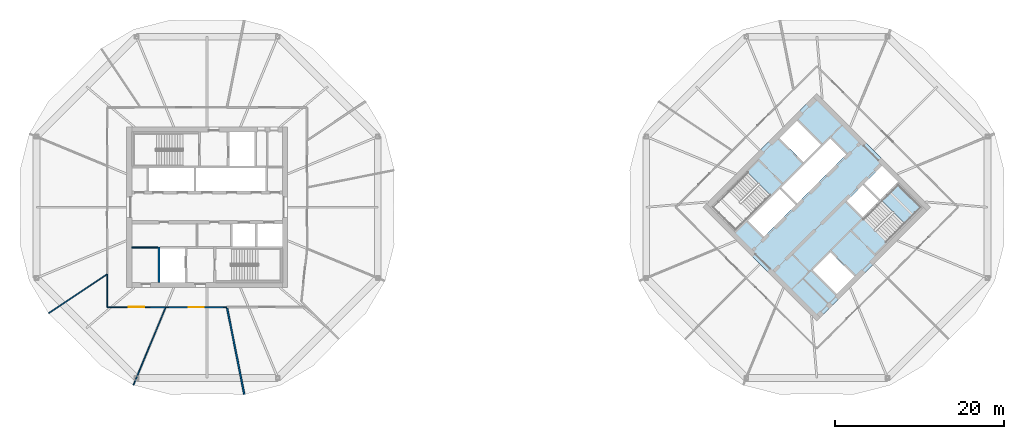
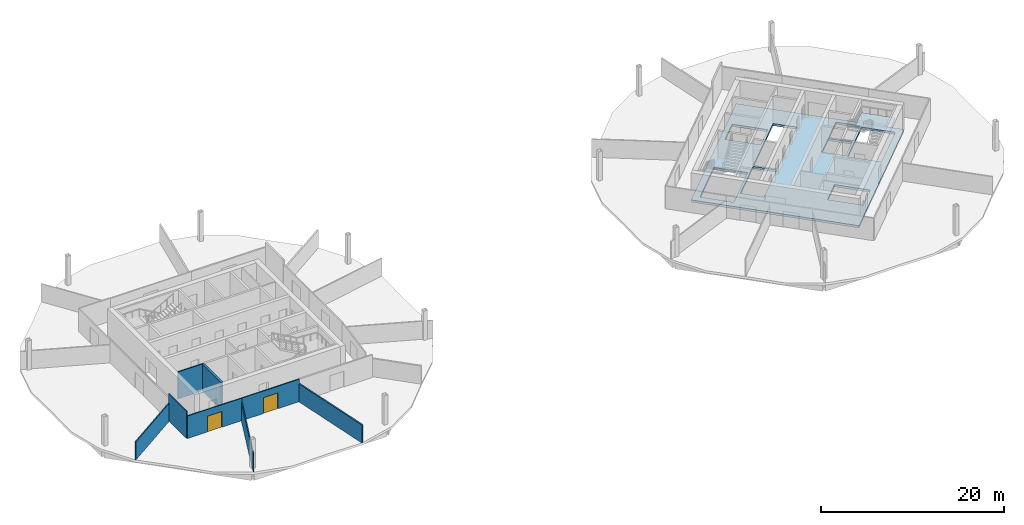
# One storey, part 4 of 10: 8 walls, 2 doors, 2 slabs, 2 openings, 1 element without a shape of its own.
"""IFC4 building model written with IfcOpenShell, lengths in metres."""

from ifc_helpers import new_model, si_unit, direction, frame, frame_2d, origin, place, context, subcontext, project, spatial, polyline, rectangle, outline, extrude, material, layer, layer_set, type_object, element, fill, aggregate, save


model = new_model("IFC4")

# Units and contexts
model_context = context("Model", 3, precision=1e-05, world=origin(), true_north=direction((0.0, 1.0)))
body_context = subcontext(model_context, "Body", "Model", "MODEL_VIEW")
ifc_project = project(units=[si_unit("LENGTHUNIT", "METRE"), si_unit("AREAUNIT", "SQUARE_METRE"), si_unit("VOLUMEUNIT", "CUBIC_METRE"), si_unit("PLANEANGLEUNIT", "RADIAN"), si_unit("MASSUNIT", "GRAM", prefix="KILO")], contexts=[model_context])

# Site, building, storey
site_placement = place(None, origin())
site = spatial("IfcSite", under=ifc_project, at=site_placement, CompositionType="ELEMENT")
building_placement = place(site_placement, origin())
building = spatial("IfcBuilding", under=site, at=building_placement, Name="Ogive Gate Towers", CompositionType="ELEMENT")
storey_placement = place(building_placement, frame((0.0, 0.0, 169.5)))
storey = spatial("IfcBuildingStorey", under=building, at=storey_placement, Name="L40", CompositionType="ELEMENT", Elevation=169.5)

# Slab
ifc_material_1 = material(Name="Concrete C40/50", Category="concrete")
ifc_layer_1 = layer(ifc_material_1, 0.300048828125)
ifc_layer_set_1 = layer_set([ifc_layer_1], Name="Core slab C40/50 300 mm")
slab_type_1 = type_object("IfcSlabType", Name="Core slab C40/50 300 mm", PredefinedType="FLOOR", material=ifc_layer_set_1)
slab_1_placement = place(storey_placement, frame((0.0, 0.0, -0.300048828125)))
element("IfcSlab", 1, at=slab_1_placement, inside=storey, type_object=slab_type_1, Name="T2 L40 core slab", PredefinedType="FLOOR", context=body_context, shape_type="SweptSolid", body=[
    extrude(outline(polyline([(36.0, -13.43505859375), (22.56494140625, 0.0), (36.0, 13.43505859375), (49.43505859375, 0.0), (36.0, -13.43505859375)]), holes=[polyline([(29.759765625, -3.482421875), (33.50732421875, 0.26513671875), (31.615966796875, 2.15673828125), (27.868408203125, -1.591064453125), (29.759765625, -3.482421875)]), polyline([(31.792724609375, 2.33349609375), (33.68408203125, 0.44189453125), (39.482421875, 6.240234375), (37.591064453125, 8.131591796875), (31.792724609375, 2.33349609375)]), polyline([(41.3916015625, 2.634033203125), (39.517822265625, 0.760009765625), (41.409423828125, -1.13134765625), (43.283203125, 0.742431640625), (41.3916015625, 2.634033203125)]), polyline([(45.563720703125, 3.02294921875), (43.672119140625, 4.914306640625), (41.568603515625, 2.810791015625), (43.4599609375, 0.919189453125), (45.563720703125, 3.02294921875)]), polyline([(34.408935546875, 5.30322265625), (36.4951171875, 7.389404296875), (33.64892578125, 10.2353515625), (31.56298828125, 8.1494140625), (34.408935546875, 5.30322265625)]), polyline([(35.5048828125, -7.389404296875), (38.35107421875, -10.2353515625), (40.43701171875, -8.1494140625), (37.591064453125, -5.30322265625), (35.5048828125, -7.389404296875)]), polyline([(26.40087890625, -2.70458984375), (30.512939453125, 1.406982421875), (27.80810546875, 4.11181640625), (23.6962890625, 0.0), (26.40087890625, -2.70458984375)]), polyline([(48.3037109375, 0.0), (45.59912109375, 2.70458984375), (41.487060546875, -1.406982421875), (44.19189453125, -4.11181640625), (48.3037109375, 0.0)])]), origin(), (0.0, 0.0, 1.0), 0.300048828125),
])

# Stair, slab
stair_type = type_object("IfcStairType", Name="Escape stair 1840 wide", PredefinedType="HALF_TURN_STAIR", material=ifc_material_1)
stair_placement = place(storey_placement, origin())
stair = element("IfcStair", 2, at=stair_placement, inside=storey, type_object=stair_type, Name="L40 Escape stair 2", PredefinedType="HALF_TURN_STAIR")
ifc_layer_2 = layer(ifc_material_1, 0.199951171875)
ifc_layer_set_2 = layer_set([ifc_layer_2], Name="Stair landing 200 mm")
slab_type_2 = type_object("IfcSlabType", Name="Stair landing 200 mm", PredefinedType="LANDING", material=ifc_layer_set_2)
slab_2_placement = place(storey_placement, frame((0.0, 0.0, 1.75)))
slab_2 = element("IfcSlab", 3, at=slab_2_placement, type_object=slab_type_2, Name="ST2 landing 1", PredefinedType="LANDING", context=body_context, shape_type="SweptSolid", body=[
    extrude(outline(polyline([(46.3955078125, -1.908203125), (48.3037109375, 0.0), (45.598876953125, 2.70458984375), (43.690673828125, 0.79638671875), (46.3955078125, -1.908203125)])), origin(), (0.0, 0.0, 1.0), 0.199951171875),
])
aggregate(stair, [slab_2])

# Walls
ifc_material_2 = material(Name="Gypsum board acoustic partition")
ifc_layer_3 = layer(ifc_material_2, 0.175048828125)
ifc_layer_set_3 = layer_set([ifc_layer_3], Name="Acoustic partition 175")
wall_type_1 = type_object("IfcWallType", Name="Acoustic partition 175", PredefinedType="PARTITIONING", material=ifc_layer_set_3)
wall_1_placement = place(storey_placement, frame((-31.612548828125, -22.09814453125, 0.0), z_axis=(0.0, 0.0, 1.0), x_axis=(-0.194745070946, 0.980853891944, 0.0)))
element("IfcWall", 4, at=wall_1_placement, inside=storey, type_object=wall_type_1, Name="Partition T1-L40-008", PredefinedType="PARTITIONING", context=body_context, shape_type="SweptSolid", body=[
    extrude(rectangle(XDim=10.411376953125, YDim=0.175048828125, at=frame_2d((5.20556640625, 0.0))), origin(), (0.0, 0.0, 1.0), 2.39990234375),
])
ifc_material_3 = material(Name="Gypsum board partition")
ifc_layer_4 = layer(ifc_material_3, 0.125)
ifc_layer_set_4 = layer_set([ifc_layer_4], Name="Partition 125")
wall_type_2 = type_object("IfcWallType", Name="Partition 125", PredefinedType="PARTITIONING", material=ifc_layer_set_4)
wall_2_placement = place(storey_placement, frame((-54.728271484375, -12.5234375, 0.0), z_axis=(0.0, 0.0, 1.0), x_axis=(0.831274401047, 0.555862276256, 0.0)))
element("IfcWall", 5, at=wall_2_placement, inside=storey, type_object=wall_type_2, Name="Partition T1-L40-006", PredefinedType="PARTITIONING", context=body_context, shape_type="SweptSolid", body=[
    extrude(rectangle(XDim=8.28662109375, YDim=0.125, at=frame_2d((4.143310546875, 0.0))), origin(), (0.0, 0.0, 1.0), 2.39990234375),
])
wall_3_placement = place(storey_placement, frame((-44.698486328125, -20.999755859375, 0.0), z_axis=(0.0, 0.0, 1.0), x_axis=(0.382692753216, 0.923875671633, 0.0)))
element("IfcWall", 6, at=wall_3_placement, inside=storey, type_object=wall_type_2, Name="Partition T1-L40-007", PredefinedType="PARTITIONING", context=body_context, shape_type="SweptSolid", body=[
    extrude(rectangle(XDim=9.886474609375, YDim=0.125, at=frame_2d((4.943359375, 0.0))), origin(), (0.0, 0.0, 1.0), 2.39990234375),
])

# Wall, opening, door
wall_4_placement = place(storey_placement, frame((-47.780029296875, -11.780029296875, 0.0), z_axis=(0.0, 0.0, 1.0), x_axis=(0.99999169502, -0.004075523441, 0.0)))
wall_4 = element("IfcWall", 7, at=wall_4_placement, inside=storey, type_object=wall_type_2, Name="Partition T1-L40-015", PredefinedType="PARTITIONING", context=body_context, shape_type="SweptSolid", body=[
    extrude(rectangle(XDim=6.888916015625, YDim=0.125, at=frame_2d((3.4443359375, 0.0))), origin(), (0.0, 0.0, 1.0), 3.0),
])
opening_1_placement = place(wall_4_placement, frame((2.5439453125, 0.0, 0.0)))
opening_1 = element("IfcOpeningElement", 8, at=opening_1_placement, cuts=wall_4, Name="Opening T1-L40-D04", PredefinedType="OPENING", context=body_context, shape_type="SweptSolid", body=[
    extrude(rectangle(XDim=1.800048828125, YDim=2.10009765625, at=frame_2d((0.89990234375, 1.050048828125))), frame((0.0, 0.072509765625, 0.0), z_axis=(0.0, -1.0, 0.0), x_axis=(1.0, 0.0, 0.0)), (0.0, 0.0, 1.0), 0.14501953125),
])
ifc_material_4 = material(Name="Timber door", Category="wood")
door_type = type_object("IfcDoorType", Name="Door pair 1800", OperationType="NOTDEFINED", PredefinedType="DOOR", material=ifc_material_4)
door_1_placement = place(opening_1_placement, origin())
door_1 = element("IfcDoor", 9, at=door_1_placement, inside=storey, type_object=door_type, Name="Door T1-L40-D04", OperationType="DOUBLE_DOOR_DOUBLE_SWING", OverallHeight=2.10009765625, OverallWidth=1.800048828125, PredefinedType="DOOR", context=body_context, shape_type="SweptSolid", body=[
    extrude(rectangle(XDim=1.800048828125, YDim=2.10009765625, at=frame_2d((0.89990234375, 1.050048828125))), frame((0.0, 0.02490234375, 0.0), z_axis=(0.0, -1.0, 0.0), x_axis=(1.0, 0.0, 0.0)), (0.0, 0.0, 1.0), 0.050048828125),
])
fill(opening_1, door_1)

# Wall
wall_5_placement = place(storey_placement, frame((-47.787841796875, -7.882568359375, 0.0), z_axis=(0.0, 0.0, 1.0), x_axis=(0.002004506121, -0.999997990976, 0.0)))
element("IfcWall", 10, at=wall_5_placement, inside=storey, type_object=wall_type_2, Name="Partition T1-L40-016", PredefinedType="PARTITIONING", context=body_context, shape_type="SweptSolid", body=[
    extrude(rectangle(XDim=3.8974609375, YDim=0.125, at=frame_2d((1.94873046875, 0.0))), origin(), (0.0, 0.0, 1.0), 3.60009765625),
])

# Wall, opening, door
wall_6_placement = place(storey_placement, frame((-40.89111328125, -11.80810546875, 0.0), z_axis=(0.0, 0.0, 1.0), x_axis=(0.999999416854, 0.001079949423, 0.0)))
wall_6 = element("IfcWall", 11, at=wall_6_placement, inside=storey, type_object=wall_type_2, Name="Partition T1-L40-017", PredefinedType="PARTITIONING", context=body_context, shape_type="SweptSolid", body=[
    extrude(rectangle(XDim=7.234130859375, YDim=0.125, at=frame_2d((3.6171875, 0.0))), origin(), (0.0, 0.0, 1.0), 3.0),
])
opening_2_placement = place(wall_6_placement, frame((2.717041015625, 0.0, 0.0)))
opening_2 = element("IfcOpeningElement", 12, at=opening_2_placement, cuts=wall_6, Name="Opening T1-L40-D05", PredefinedType="OPENING", context=body_context, shape_type="SweptSolid", body=[
    extrude(rectangle(XDim=1.800048828125, YDim=2.10009765625, at=frame_2d((0.89990234375, 1.050048828125))), frame((0.0, 0.072509765625, 0.0), z_axis=(0.0, -1.0, 0.0), x_axis=(1.0, 0.0, 0.0)), (0.0, 0.0, 1.0), 0.14501953125),
])
door_2_placement = place(opening_2_placement, origin())
door_2 = element("IfcDoor", 13, at=door_2_placement, inside=storey, type_object=door_type, Name="Door T1-L40-D05", OperationType="DOUBLE_DOOR_DOUBLE_SWING", OverallHeight=2.10009765625, OverallWidth=1.800048828125, PredefinedType="DOOR", context=body_context, shape_type="SweptSolid", body=[
    extrude(rectangle(XDim=1.800048828125, YDim=2.10009765625, at=frame_2d((0.89990234375, 1.050048828125))), frame((0.0, 0.02490234375, 0.0), z_axis=(0.0, -1.0, 0.0), x_axis=(1.0, 0.0, 0.0)), (0.0, 0.0, 1.0), 0.050048828125),
])
fill(opening_2, door_2)

# Walls
ifc_layer_5 = layer(ifc_material_3, 0.14990234375)
ifc_layer_set_5 = layer_set([ifc_layer_5], Name="Room partition 150 mm")
wall_type_3 = type_object("IfcWallType", Name="Room partition 150 mm", PredefinedType="PARTITIONING", material=ifc_layer_set_5)
wall_7_placement = place(storey_placement, frame((-44.89990234375, -4.75, 0.0), z_axis=(0.0, 0.0, 1.0), x_axis=(1.0, 0.0, 0.0)))
element("IfcWall", 14, at=wall_7_placement, inside=storey, type_object=wall_type_3, Name="T1 L40 Room partition 150 mm", PredefinedType="PARTITIONING", context=body_context, shape_type="SweptSolid", body=[
    extrude(rectangle(XDim=3.074951171875, YDim=0.14990234375, at=frame_2d((1.53759765625, 0.0))), origin(), (0.0, 0.0, 1.0), 3.60009765625),
])
ifc_material_5 = material(Name="Concrete C60/75", Category="concrete")
ifc_layer_6 = layer(ifc_material_5, 0.25)
ifc_layer_set_6 = layer_set([ifc_layer_6], Name="Shaft wall 250 mm")
wall_type_4 = type_object("IfcWallType", Name="Shaft wall 250 mm", PredefinedType="SHEAR", material=ifc_layer_set_6)
wall_8_placement = place(storey_placement, frame((-41.699951171875, -8.89990234375, 0.0), z_axis=(0.0, 0.0, 1.0), x_axis=(0.0, 1.0, 0.0)))
element("IfcWall", 15, at=wall_8_placement, inside=storey, type_object=wall_type_4, Name="T1 L40 Shaft wall 250 mm", PredefinedType="SHEAR", context=body_context, shape_type="SweptSolid", body=[
    extrude(rectangle(XDim=4.224853515625, YDim=0.25, at=frame_2d((2.1123046875, 0.0))), origin(), (0.0, 0.0, 1.0), 3.60009765625),
])

save(model, "model.ifc")
